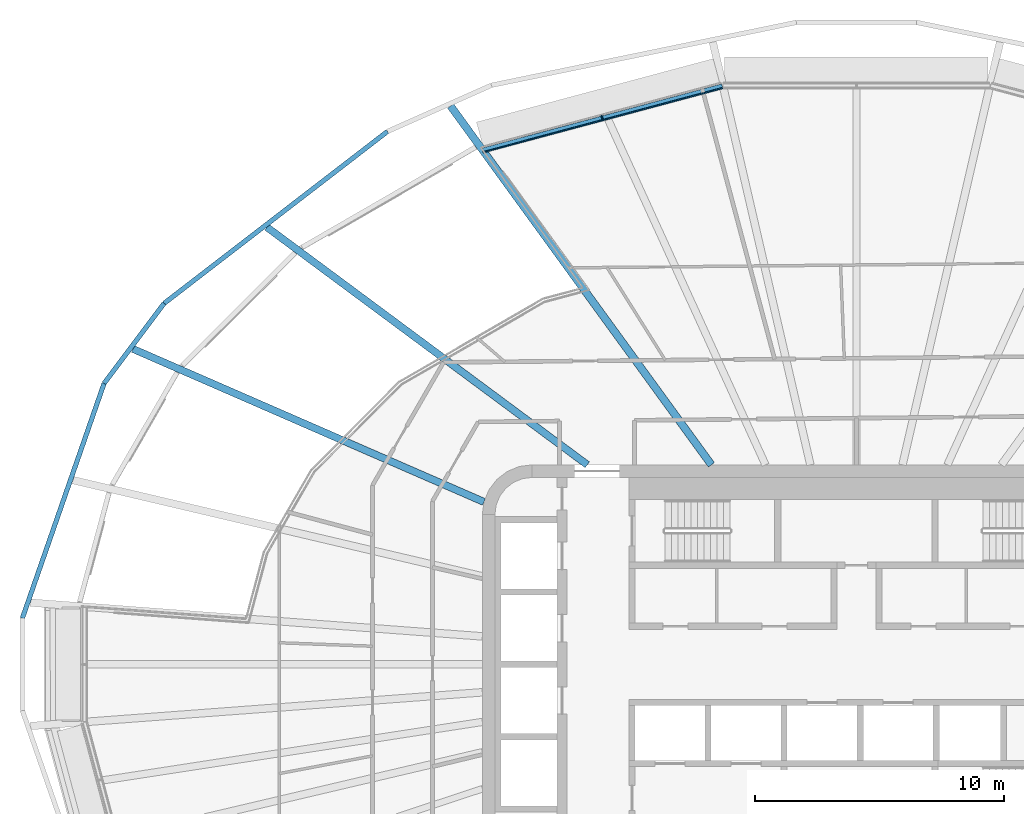
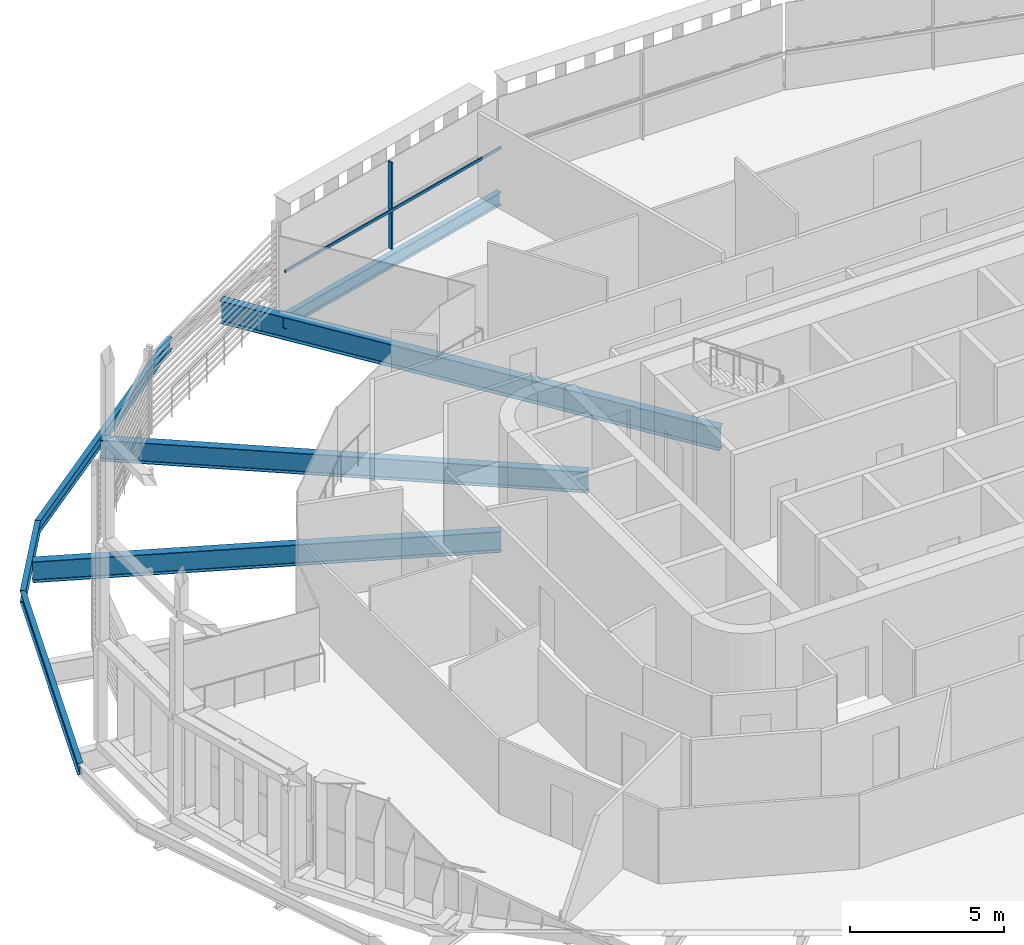
# One storey, part 5 of 22: 7 beams, 2 members, 1 element without a shape of its own.
"""IFC4 building model written with IfcOpenShell, lengths in metres."""

from ifc_helpers import new_model, si_unit, direction, frame, origin, origin_2d, place, context, subcontext, project, spatial, rectangle, i_section, extrude, material, layer, layer_set, material_profile, profile_set, type_object, element, aggregate, save


model = new_model("IFC4")

# Units and contexts
model_context = context("Model", 3, precision=1e-05, world=origin(), true_north=direction((0.0, 1.0)))
body_context = subcontext(model_context, "Body", "Model", "MODEL_VIEW")
ifc_project = project(units=[si_unit("LENGTHUNIT", "METRE"), si_unit("AREAUNIT", "SQUARE_METRE"), si_unit("VOLUMEUNIT", "CUBIC_METRE"), si_unit("PLANEANGLEUNIT", "RADIAN"), si_unit("MASSUNIT", "GRAM", prefix="KILO")], contexts=[model_context])

# Site, building, storey
site_placement = place(None, origin())
site = spatial("IfcSite", under=ifc_project, at=site_placement, CompositionType="ELEMENT")
building_placement = place(site_placement, origin())
building = spatial("IfcBuilding", under=site, at=building_placement, Name="Sahrelin Media Tower", CompositionType="ELEMENT")
storey_placement = place(building_placement, frame((0.0, 0.0, 177.60009765625)))
storey = spatial("IfcBuildingStorey", under=building, at=storey_placement, Name="L37", CompositionType="ELEMENT", Elevation=177.60009765625)

# Beam
ifc_material_1 = material(Name="Steel S355", Category="steel")
ifc_material_profile_1 = material_profile(ifc_material_1, i_section(OverallWidth=0.208740234375, OverallDepth=0.5283203125, WebThickness=0.009521484375, FlangeThickness=0.01318359375, FilletRadius=0.0126953125, at=origin_2d()), Name="UB 533x210x82")
ifc_profile_set_1 = profile_set([ifc_material_profile_1], Name="Steel S355")
beam_type_1 = type_object("IfcBeamType", Name="Edge beam EB6", PredefinedType="BEAM", material=ifc_profile_set_1)
beam_1_placement = place(storey_placement, frame((-14.99609375, 20.593505859375, -0.414306640625), z_axis=(0.96592704093, 0.258814511957, 0.0), x_axis=(-0.258814511957, 0.96592704093, 0.0)))
element("IfcBeam", 1, at=beam_1_placement, inside=storey, type_object=beam_type_1, Name="Edge beam L37-14", PredefinedType="BEAM", context=body_context, shape_type="SweptSolid", body=[
    extrude(i_section(OverallWidth=0.208740234375, OverallDepth=0.5283203125, WebThickness=0.009521484375, FlangeThickness=0.01318359375, FilletRadius=0.0126953125, at=origin_2d()), origin(), (0.0, 0.0, 1.0), 9.95849609375),
])

# Curtain wall, member
ifc_material_2 = material(Name="Champagne anodised aluminium 6063-T6", Category="aluminium")
ifc_layer = layer(ifc_material_2, 0.14990234375)
ifc_layer_set = layer_set([ifc_layer], Name="Tower ribbon curtain wall")
curtain_wall_type = type_object("IfcCurtainWallType", Name="Tower ribbon curtain wall", PredefinedType="NOTDEFINED", material=ifc_layer_set)
curtain_wall_placement = place(storey_placement, frame((-10.22509765625, 22.027099609375, 0.0), z_axis=(0.0, 0.0, 1.0), x_axis=(1.0, 0.0, 0.0)))
curtain_wall = element("IfcCurtainWall", 2, at=curtain_wall_placement, inside=storey, type_object=curtain_wall_type, Name="L37:CW:L37-07", PredefinedType="NOTDEFINED")
ifc_material_profile_2 = material_profile(ifc_material_2, rectangle(XDim=0.06005859375, YDim=0.175048828125, at=origin_2d()), Name="Mullion 60x175")
ifc_profile_set_2 = profile_set([ifc_material_profile_2], Name="Champagne anodised aluminium 6063-T6")
member_type_1 = type_object("IfcMemberType", Name="Mullion 60x175 CW1B", PredefinedType="MULLION", material=ifc_profile_set_2)
member_1_placement = place(storey_placement, frame((-10.197509765625, 21.92333984375, 0.0), z_axis=(0.0, 0.0, 1.0), x_axis=(-0.965927633163, -0.258812301662, 0.0)))
member_1 = element("IfcMember", 3, at=member_1_placement, type_object=member_type_1, Name="L37:CWM:L37-07", PredefinedType="MULLION", context=body_context, shape_type="SweptSolid", body=[
    extrude(rectangle(XDim=0.06005859375, YDim=0.175048828125, at=origin_2d()), origin(), (0.0, 0.0, 1.0), 3.448486328125),
])

# Beams
ifc_material_profile_3 = material_profile(ifc_material_1, i_section(OverallWidth=0.291748046875, OverallDepth=0.8349609375, WebThickness=0.013916015625, FlangeThickness=0.018798828125, FilletRadius=0.017822265625, at=origin_2d()), Name="UB 838x292x176")
ifc_profile_set_3 = profile_set([ifc_material_profile_3], Name="Steel S355")
beam_type_2 = type_object("IfcBeamType", Name="Radial primary beam PB10", PredefinedType="BEAM", material=ifc_profile_set_3)
beam_2_placement = place(storey_placement, frame((-10.789306640625, 8.0, -0.567626953125), z_axis=(-0.803267440972, 0.595618517403, 0.0), x_axis=(-0.595618517403, -0.803267440972, 0.0)))
element("IfcBeam", 4, at=beam_2_placement, inside=storey, type_object=beam_type_2, Name="Radial beam L37-09", PredefinedType="BEAM", context=body_context, shape_type="SweptSolid", body=[
    extrude(i_section(OverallWidth=0.291748046875, OverallDepth=0.8349609375, WebThickness=0.013916015625, FlangeThickness=0.018798828125, FilletRadius=0.017822265625, at=origin_2d()), origin(), (0.0, 0.0, 1.0), 15.9912109375),
])
beam_3_placement = place(storey_placement, frame((-14.932861328125, 6.510498046875, -0.567626953125), z_axis=(-0.916667884618, 0.399649833367, 0.0), x_axis=(-0.399649833367, -0.916667884618, 0.0)))
element("IfcBeam", 5, at=beam_3_placement, inside=storey, type_object=beam_type_2, Name="Radial beam L37-10", PredefinedType="BEAM", context=body_context, shape_type="SweptSolid", body=[
    extrude(i_section(OverallWidth=0.291748046875, OverallDepth=0.8349609375, WebThickness=0.013916015625, FlangeThickness=0.018798828125, FilletRadius=0.017822265625, at=origin_2d()), origin(), (0.0, 0.0, 1.0), 15.353515625),
])
ifc_material_profile_4 = material_profile(ifc_material_1, i_section(OverallWidth=0.30322265625, OverallDepth=0.903076171875, WebThickness=0.01513671875, FlangeThickness=0.020263671875, FilletRadius=0.01904296875, at=origin_2d()), Name="UB 914x305x201")
ifc_profile_set_4 = profile_set([ifc_material_profile_4], Name="Steel S355")
beam_type_3 = type_object("IfcBeamType", Name="Radial primary beam PB11", PredefinedType="BEAM", material=ifc_profile_set_4)
beam_4_placement = place(storey_placement, frame((-5.81494140625, 8.0, -0.6015625), z_axis=(-0.587965973152, 0.80888566214, 0.0), x_axis=(-0.80888566214, -0.587965973152, 0.0)))
element("IfcBeam", 6, at=beam_4_placement, inside=storey, type_object=beam_type_3, Name="Radial beam L37-08", PredefinedType="BEAM", context=body_context, shape_type="SweptSolid", body=[
    extrude(i_section(OverallWidth=0.30322265625, OverallDepth=0.903076171875, WebThickness=0.01513671875, FlangeThickness=0.020263671875, FilletRadius=0.01904296875, at=origin_2d()), origin(), (0.0, 0.0, 1.0), 17.783447265625),
])
ifc_material_profile_5 = material_profile(ifc_material_1, i_section(OverallWidth=0.1904296875, OverallDepth=0.45703125, WebThickness=0.009033203125, FlangeThickness=0.014404296875, FilletRadius=0.01025390625, at=origin_2d()), Name="UB 457x191x74")
ifc_profile_set_5 = profile_set([ifc_material_profile_5], Name="Steel S355")
beam_type_4 = type_object("IfcBeamType", Name="Tie chord TC5", PredefinedType="BEAM", material=ifc_profile_set_5)
beam_5_placement = place(storey_placement, frame((-18.802001953125, 21.3642578125, -0.378662109375), z_axis=(-0.792444846493, -0.609943575477, 0.0), x_axis=(0.609943575477, -0.792444846493, 0.0)))
element("IfcBeam", 7, at=beam_5_placement, inside=storey, type_object=beam_type_4, Name="Tie chord L37-09", PredefinedType="BEAM", context=body_context, shape_type="SweptSolid", body=[
    extrude(i_section(OverallWidth=0.1904296875, OverallDepth=0.45703125, WebThickness=0.009033203125, FlangeThickness=0.014404296875, FilletRadius=0.01025390625, at=origin_2d()), origin(), (0.0, 0.0, 1.0), 11.300048828125),
])
beam_6_placement = place(storey_placement, frame((-27.756591796875, 14.471923828125, -0.378662109375), z_axis=(-0.600068228926, -0.799948823759, 0.0), x_axis=(0.799948823759, -0.600068228926, 0.0)))
element("IfcBeam", 8, at=beam_6_placement, inside=storey, type_object=beam_type_4, Name="Tie chord L37-10", PredefinedType="BEAM", context=body_context, shape_type="SweptSolid", body=[
    extrude(i_section(OverallWidth=0.1904296875, OverallDepth=0.45703125, WebThickness=0.009033203125, FlangeThickness=0.014404296875, FilletRadius=0.01025390625, at=origin_2d()), origin(), (0.0, 0.0, 1.0), 4.007568359375),
])
beam_7_placement = place(storey_placement, frame((-30.161376953125, 11.26611328125, -0.378662109375), z_axis=(-0.328762818369, -0.944412520702, 0.0), x_axis=(0.944412520702, -0.328762818369, 0.0)))
element("IfcBeam", 9, at=beam_7_placement, inside=storey, type_object=beam_type_4, Name="Tie chord L37-11", PredefinedType="BEAM", context=body_context, shape_type="SweptSolid", body=[
    extrude(i_section(OverallWidth=0.1904296875, OverallDepth=0.45703125, WebThickness=0.009033203125, FlangeThickness=0.014404296875, FilletRadius=0.01025390625, at=origin_2d()), origin(), (0.0, 0.0, 1.0), 9.969482421875),
])

# Member
ifc_material_profile_6 = material_profile(ifc_material_2, rectangle(XDim=0.050048828125, YDim=0.110107421875, at=origin_2d()), Name="Transom 50x110")
ifc_profile_set_6 = profile_set([ifc_material_profile_6], Name="Champagne anodised aluminium 6063-T6")
member_type_2 = type_object("IfcMemberType", Name="Transom 50x110 CW1B", PredefinedType="USERDEFINED", material=ifc_profile_set_6)
member_2_placement = place(storey_placement, frame((-5.3740234375, 23.099365234375, 1.599853515625), z_axis=(-0.965924009595, -0.258825825003, 0.0), x_axis=(0.258825825003, -0.965924009595, 0.0)))
member_2 = element("IfcMember", 10, at=member_2_placement, type_object=member_type_2, Name="L37:CWT:L37-07", ObjectType="TRANSOM", PredefinedType="USERDEFINED", context=body_context, shape_type="SweptSolid", body=[
    extrude(rectangle(XDim=0.050048828125, YDim=0.110107421875, at=origin_2d()), origin(), (0.0, 0.0, 1.0), 9.927001953125),
])

aggregate(curtain_wall, [member_1, member_2])

save(model, "model.ifc")
